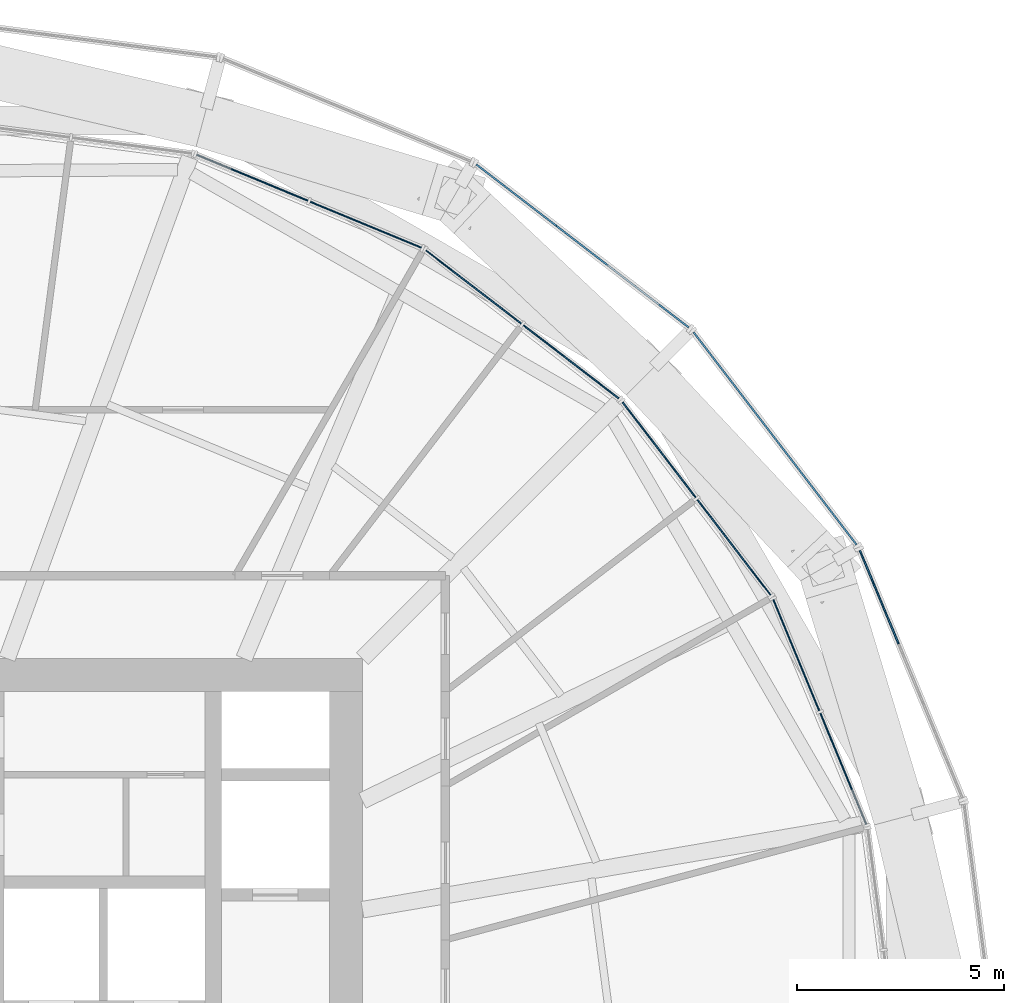
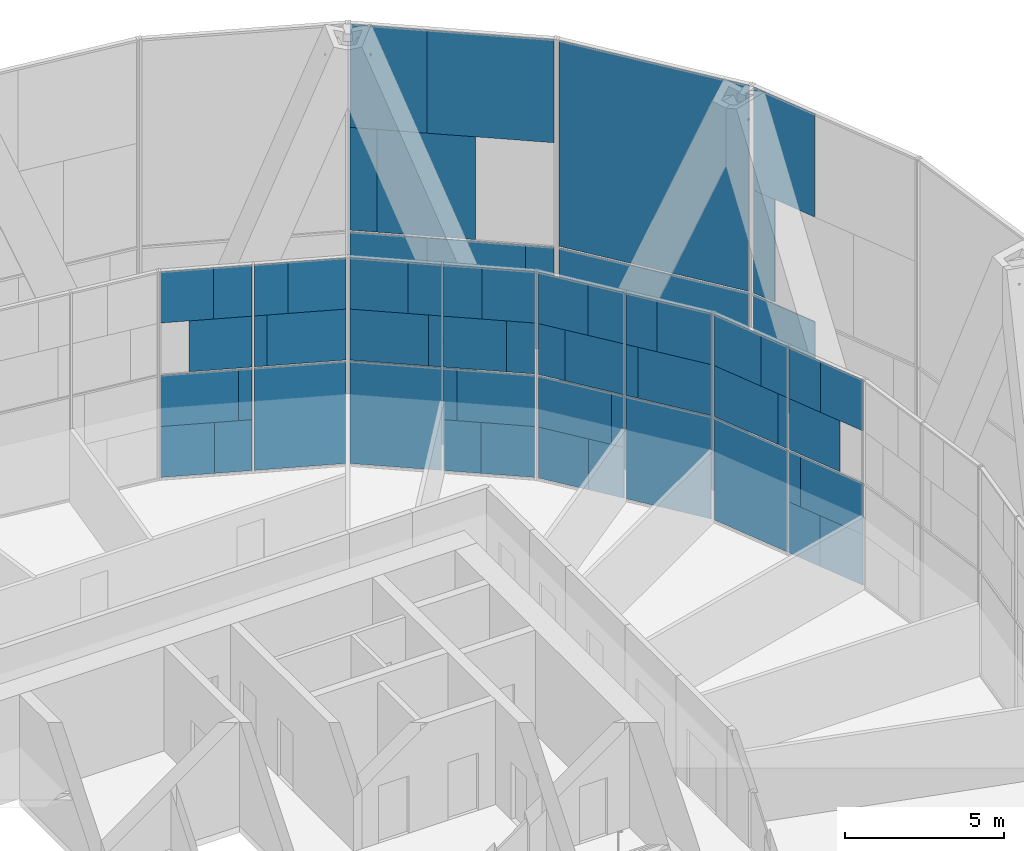
# One storey, part 18 of 22: 63 plates, 7 elements without a shape of their own.
"""IFC4 building model written with IfcOpenShell, lengths in metres."""

from ifc_helpers import new_model, si_unit, direction, frame, origin, origin_2d, place, context, subcontext, project, spatial, rectangle, extrude, material, layer, layer_set, type_object, element, aggregate, save


model = new_model("IFC4")

# Units and contexts
model_context = context("Model", 3, precision=1e-05, world=origin(), true_north=direction((0.0, 1.0)))
body_context = subcontext(model_context, "Body", "Model", "MODEL_VIEW")
ifc_project = project(units=[si_unit("LENGTHUNIT", "METRE"), si_unit("AREAUNIT", "SQUARE_METRE"), si_unit("VOLUMEUNIT", "CUBIC_METRE"), si_unit("PLANEANGLEUNIT", "RADIAN"), si_unit("MASSUNIT", "GRAM", prefix="KILO")], contexts=[model_context])

# Site, building, storey
site_placement = place(None, origin())
site = spatial("IfcSite", under=ifc_project, at=site_placement, CompositionType="ELEMENT")
building_placement = place(site_placement, origin())
building = spatial("IfcBuilding", under=site, at=building_placement, Name="Golbaran Civic Tower", CompositionType="ELEMENT")
storey_placement = place(building_placement, frame((0.0, 0.0, 37.0)))
storey = spatial("IfcBuildingStorey", under=building, at=storey_placement, Name="L08", CompositionType="ELEMENT", Elevation=37.0)

# Curtain wall, plates
ifc_material_1 = material(Name="Aluminium and glass", Category="aluminium")
curtain_wall_type_1 = type_object("IfcCurtainWallType", Name="INNER SKIN CURTAIN WALL", PredefinedType="NOTDEFINED", material=ifc_material_1)
curtain_wall_1_placement = place(storey_placement, origin())
curtain_wall_1 = element("IfcCurtainWall", 1, at=curtain_wall_1_placement, inside=storey, type_object=curtain_wall_type_1, Name="Inner skin L08 facet 2 CW1", ObjectType="INNER SKIN", PredefinedType="USERDEFINED")
ifc_material_2 = material(Name="Clear insulating glass", Category="glass")
ifc_layer_1 = layer(ifc_material_2, 0.031982421875, Name="Clear insulating glass")
ifc_layer_set_1 = layer_set([ifc_layer_1], Name="Clear insulating glass")
plate_type_1 = type_object("IfcPlateType", Name="INNER SKIN CURTAIN WALL GLAZED PANEL", PredefinedType="CURTAIN_PANEL", material=ifc_layer_set_1)
plate_1_placement = place(storey_placement, frame((21.273681640625, 8.12744140625, 0.06494140625), z_axis=(0.0, 0.0, 1.0), x_axis=(-0.382683432365, 0.923879532511, 0.0)))
plate_1 = element("IfcPlate", 2, at=plate_1_placement, type_object=plate_type_1, Name="CW1 panel 1.1 part 2", PredefinedType="CURTAIN_PANEL", context=body_context, shape_type="SweptSolid", body=[
    extrude(rectangle(XDim=1.199462890625, YDim=0.031982421875, at=origin_2d()), origin(), (0.0, 0.0, 1.0), 1.951171875),
])
plate_2_placement = place(storey_placement, frame((21.126953125, 8.481689453125, 2.016357421875), z_axis=(0.0, 0.0, 1.0), x_axis=(-0.382683432365, 0.923879532511, 0.0)))
plate_2 = element("IfcPlate", 3, at=plate_2_placement, type_object=plate_type_1, Name="CW1 panel 1.1 part 4", PredefinedType="CURTAIN_PANEL", context=body_context, shape_type="SweptSolid", body=[
    extrude(rectangle(XDim=0.4326171875, YDim=0.031982421875, at=origin_2d()), origin(), (0.0, 0.0, 1.0), 1.951171875),
])
plate_3_placement = place(storey_placement, frame((21.833251953125, 6.776611328125, 5.98388671875), z_axis=(0.0, 0.0, 1.0), x_axis=(-0.382683432365, 0.923879532511, 0.0)))
plate_3 = element("IfcPlate", 4, at=plate_3_placement, type_object=plate_type_1, Name="CW1 panel 1.2 part 3", PredefinedType="CURTAIN_PANEL", context=body_context, shape_type="SweptSolid", body=[
    extrude(rectangle(XDim=1.675048828125, YDim=0.031982421875, at=origin_2d()), origin(), (0.0, 0.0, 1.0), 1.951171875),
])
plate_4_placement = place(storey_placement, frame((20.464599609375, 10.0810546875, 0.06494140625), z_axis=(0.0, 0.0, 1.0), x_axis=(-0.382683432365, 0.923879532511, 0.0)))
plate_4 = element("IfcPlate", 5, at=plate_4_placement, type_object=plate_type_1, Name="CW1 panel 2.1", PredefinedType="CURTAIN_PANEL", context=body_context, shape_type="SweptSolid", body=[
    extrude(rectangle(XDim=2.8994140625, YDim=0.031982421875, at=origin_2d()), origin(), (0.0, 0.0, 1.0), 3.902587890625),
])
plate_5_placement = place(storey_placement, frame((20.3876953125, 10.266357421875, 4.032470703125), z_axis=(0.0, 0.0, 1.0), x_axis=(-0.382683432365, 0.923879532511, 0.0)))
plate_5 = element("IfcPlate", 6, at=plate_5_placement, type_object=plate_type_1, Name="CW1 panel 2.2 part 2", PredefinedType="CURTAIN_PANEL", context=body_context, shape_type="SweptSolid", body=[
    extrude(rectangle(XDim=2.49853515625, YDim=0.031982421875, at=origin_2d()), origin(), (0.0, 0.0, 1.0), 1.951171875),
])
plate_6_placement = place(storey_placement, frame((20.260986328125, 10.572021484375, 5.98388671875), z_axis=(0.0, 0.0, 1.0), x_axis=(-0.382683432365, 0.923879532511, 0.0)))
plate_6 = element("IfcPlate", 7, at=plate_6_placement, type_object=plate_type_1, Name="CW1 panel 2.2 part 4", PredefinedType="CURTAIN_PANEL", context=body_context, shape_type="SweptSolid", body=[
    extrude(rectangle(XDim=1.83642578125, YDim=0.031982421875, at=origin_2d()), origin(), (0.0, 0.0, 1.0), 1.951171875),
])

curtain_wall_2_placement = place(storey_placement, origin())
curtain_wall_2 = element("IfcCurtainWall", 8, at=curtain_wall_2_placement, inside=storey, type_object=curtain_wall_type_1, Name="Inner skin L08 facet 3 CW1", ObjectType="INNER SKIN", PredefinedType="USERDEFINED")
plate_7_placement = place(storey_placement, frame((18.962646484375, 12.68212890625, 0.06494140625), z_axis=(0.0, 0.0, 1.0), x_axis=(-0.608761428939, 0.793353340344, 0.0)))
plate_7 = element("IfcPlate", 9, at=plate_7_placement, type_object=plate_type_1, Name="CW1 panel 1.1", PredefinedType="CURTAIN_PANEL", context=body_context, shape_type="SweptSolid", body=[
    extrude(rectangle(XDim=2.8994140625, YDim=0.031982421875, at=origin_2d()), origin(), (0.0, 0.0, 1.0), 3.902587890625),
])
plate_8_placement = place(storey_placement, frame((19.0849609375, 12.52294921875, 4.032470703125), z_axis=(0.0, 0.0, 1.0), x_axis=(-0.608761428939, 0.793353340344, 0.0)))
plate_8 = element("IfcPlate", 10, at=plate_8_placement, type_object=plate_type_1, Name="CW1 panel 1.2 part 1", PredefinedType="CURTAIN_PANEL", context=body_context, shape_type="SweptSolid", body=[
    extrude(rectangle(XDim=2.498046875, YDim=0.031982421875, at=origin_2d()), origin(), (0.0, 0.0, 1.0), 1.951171875),
])
plate_9_placement = place(storey_placement, frame((19.2861328125, 12.2607421875, 5.98388671875), z_axis=(0.0, 0.0, 1.0), x_axis=(-0.608761428939, 0.793353340344, 0.0)))
plate_9 = element("IfcPlate", 11, at=plate_9_placement, type_object=plate_type_1, Name="CW1 panel 1.2 part 3", PredefinedType="CURTAIN_PANEL", context=body_context, shape_type="SweptSolid", body=[
    extrude(rectangle(XDim=1.8369140625, YDim=0.031982421875, at=origin_2d()), origin(), (0.0, 0.0, 1.0), 1.951171875),
])
plate_10_placement = place(storey_placement, frame((17.67529296875, 14.360107421875, 0.06494140625), z_axis=(0.0, 0.0, 1.0), x_axis=(-0.608761428939, 0.793353340344, 0.0)))
plate_10 = element("IfcPlate", 12, at=plate_10_placement, type_object=plate_type_1, Name="CW1 panel 2.1 part 1", PredefinedType="CURTAIN_PANEL", context=body_context, shape_type="SweptSolid", body=[
    extrude(rectangle(XDim=1.199951171875, YDim=0.031982421875, at=origin_2d()), origin(), (0.0, 0.0, 1.0), 1.951171875),
])
plate_11_placement = place(storey_placement, frame((17.9091796875, 14.055419921875, 2.016357421875), z_axis=(0.0, 0.0, 1.0), x_axis=(-0.608761428939, 0.793353340344, 0.0)))
plate_11 = element("IfcPlate", 13, at=plate_11_placement, type_object=plate_type_1, Name="CW1 panel 2.1 part 3", PredefinedType="CURTAIN_PANEL", context=body_context, shape_type="SweptSolid", body=[
    extrude(rectangle(XDim=0.431884765625, YDim=0.031982421875, at=origin_2d()), origin(), (0.0, 0.0, 1.0), 1.951171875),
])
plate_12_placement = place(storey_placement, frame((16.54931640625, 15.827392578125, 4.032470703125), z_axis=(0.0, 0.0, 1.0), x_axis=(-0.608761428939, 0.793353340344, 0.0)))
plate_12 = element("IfcPlate", 14, at=plate_12_placement, type_object=plate_type_1, Name="CW1 panel 2.2 part 2", PredefinedType="CURTAIN_PANEL", context=body_context, shape_type="SweptSolid", body=[
    extrude(rectangle(XDim=0.8994140625, YDim=0.031982421875, at=origin_2d()), origin(), (0.0, 0.0, 1.0), 1.951171875),
])
plate_13_placement = place(storey_placement, frame((16.78515625, 15.52001953125, 5.98388671875), z_axis=(0.0, 0.0, 1.0), x_axis=(-0.608761428939, 0.793353340344, 0.0)))
plate_13 = element("IfcPlate", 15, at=plate_13_placement, type_object=plate_type_1, Name="CW1 panel 2.2 part 4", PredefinedType="CURTAIN_PANEL", context=body_context, shape_type="SweptSolid", body=[
    extrude(rectangle(XDim=1.674560546875, YDim=0.031982421875, at=origin_2d()), origin(), (0.0, 0.0, 1.0), 1.951171875),
])

curtain_wall_3_placement = place(storey_placement, origin())
curtain_wall_3 = element("IfcCurtainWall", 16, at=curtain_wall_3_placement, inside=storey, type_object=curtain_wall_type_1, Name="Inner skin L08 facet 4 CW1", ObjectType="INNER SKIN", PredefinedType="USERDEFINED")
plate_14_placement = place(storey_placement, frame((14.35986328125, 17.675537109375, 0.06494140625), z_axis=(0.0, 0.0, 1.0), x_axis=(-0.793353340344, 0.608761428939, 0.0)))
plate_14 = element("IfcPlate", 17, at=plate_14_placement, type_object=plate_type_1, Name="CW1 panel 1.1 part 2", PredefinedType="CURTAIN_PANEL", context=body_context, shape_type="SweptSolid", body=[
    extrude(rectangle(XDim=1.199462890625, YDim=0.031982421875, at=origin_2d()), origin(), (0.0, 0.0, 1.0), 1.951171875),
])
plate_15_placement = place(storey_placement, frame((14.055419921875, 17.908935546875, 2.016357421875), z_axis=(0.0, 0.0, 1.0), x_axis=(-0.793353340344, 0.608761428939, 0.0)))
plate_15 = element("IfcPlate", 18, at=plate_15_placement, type_object=plate_type_1, Name="CW1 panel 1.1 part 4", PredefinedType="CURTAIN_PANEL", context=body_context, shape_type="SweptSolid", body=[
    extrude(rectangle(XDim=0.4326171875, YDim=0.031982421875, at=origin_2d()), origin(), (0.0, 0.0, 1.0), 1.951171875),
])
plate_16_placement = place(storey_placement, frame((15.827392578125, 16.54931640625, 4.032470703125), z_axis=(0.0, 0.0, 1.0), x_axis=(-0.793353340344, 0.608761428939, 0.0)))
plate_16 = element("IfcPlate", 19, at=plate_16_placement, type_object=plate_type_1, Name="CW1 panel 1.2 part 1", PredefinedType="CURTAIN_PANEL", context=body_context, shape_type="SweptSolid", body=[
    extrude(rectangle(XDim=0.89990234375, YDim=0.031982421875, at=origin_2d()), origin(), (0.0, 0.0, 1.0), 1.951171875),
])
plate_17_placement = place(storey_placement, frame((15.519775390625, 16.785400390625, 5.98388671875), z_axis=(0.0, 0.0, 1.0), x_axis=(-0.793353340344, 0.608761428939, 0.0)))
plate_17 = element("IfcPlate", 20, at=plate_17_placement, type_object=plate_type_1, Name="CW1 panel 1.2 part 3", PredefinedType="CURTAIN_PANEL", context=body_context, shape_type="SweptSolid", body=[
    extrude(rectangle(XDim=1.675048828125, YDim=0.031982421875, at=origin_2d()), origin(), (0.0, 0.0, 1.0), 1.951171875),
])
plate_18_placement = place(storey_placement, frame((12.68212890625, 18.962646484375, 0.06494140625), z_axis=(0.0, 0.0, 1.0), x_axis=(-0.793353340344, 0.608761428939, 0.0)))
plate_18 = element("IfcPlate", 21, at=plate_18_placement, type_object=plate_type_1, Name="CW1 panel 2.1", PredefinedType="CURTAIN_PANEL", context=body_context, shape_type="SweptSolid", body=[
    extrude(rectangle(XDim=2.8994140625, YDim=0.031982421875, at=origin_2d()), origin(), (0.0, 0.0, 1.0), 3.902587890625),
])
plate_19_placement = place(storey_placement, frame((12.523193359375, 19.084716796875, 4.032470703125), z_axis=(0.0, 0.0, 1.0), x_axis=(-0.793353340344, 0.608761428939, 0.0)))
plate_19 = element("IfcPlate", 22, at=plate_19_placement, type_object=plate_type_1, Name="CW1 panel 2.2 part 2", PredefinedType="CURTAIN_PANEL", context=body_context, shape_type="SweptSolid", body=[
    extrude(rectangle(XDim=2.49853515625, YDim=0.031982421875, at=origin_2d()), origin(), (0.0, 0.0, 1.0), 1.951171875),
])
plate_20_placement = place(storey_placement, frame((12.260498046875, 19.2861328125, 5.98388671875), z_axis=(0.0, 0.0, 1.0), x_axis=(-0.793353340344, 0.608761428939, 0.0)))
plate_20 = element("IfcPlate", 23, at=plate_20_placement, type_object=plate_type_1, Name="CW1 panel 2.2 part 4", PredefinedType="CURTAIN_PANEL", context=body_context, shape_type="SweptSolid", body=[
    extrude(rectangle(XDim=1.83642578125, YDim=0.031982421875, at=origin_2d()), origin(), (0.0, 0.0, 1.0), 1.951171875),
])

curtain_wall_4_placement = place(storey_placement, origin())
curtain_wall_4 = element("IfcCurtainWall", 24, at=curtain_wall_4_placement, inside=storey, type_object=curtain_wall_type_1, Name="Inner skin L08 facet 5 CW1", ObjectType="INNER SKIN", PredefinedType="USERDEFINED")
plate_21_placement = place(storey_placement, frame((10.0810546875, 20.464599609375, 0.06494140625), z_axis=(0.0, 0.0, 1.0), x_axis=(-0.923879532511, 0.382683432365, 0.0)))
plate_21 = element("IfcPlate", 25, at=plate_21_placement, type_object=plate_type_1, Name="CW1 panel 1.1", PredefinedType="CURTAIN_PANEL", context=body_context, shape_type="SweptSolid", body=[
    extrude(rectangle(XDim=2.8994140625, YDim=0.031982421875, at=origin_2d()), origin(), (0.0, 0.0, 1.0), 3.902587890625),
])
plate_22_placement = place(storey_placement, frame((10.2666015625, 20.3876953125, 4.032470703125), z_axis=(0.0, 0.0, 1.0), x_axis=(-0.923879532511, 0.382683432365, 0.0)))
plate_22 = element("IfcPlate", 26, at=plate_22_placement, type_object=plate_type_1, Name="CW1 panel 1.2 part 1", PredefinedType="CURTAIN_PANEL", context=body_context, shape_type="SweptSolid", body=[
    extrude(rectangle(XDim=2.498046875, YDim=0.031982421875, at=origin_2d()), origin(), (0.0, 0.0, 1.0), 1.951171875),
])
plate_23_placement = place(storey_placement, frame((10.57177734375, 20.26123046875, 5.98388671875), z_axis=(0.0, 0.0, 1.0), x_axis=(-0.923879532511, 0.382683432365, 0.0)))
plate_23 = element("IfcPlate", 27, at=plate_23_placement, type_object=plate_type_1, Name="CW1 panel 1.2 part 3", PredefinedType="CURTAIN_PANEL", context=body_context, shape_type="SweptSolid", body=[
    extrude(rectangle(XDim=1.8369140625, YDim=0.031982421875, at=origin_2d()), origin(), (0.0, 0.0, 1.0), 1.951171875),
])
plate_24_placement = place(storey_placement, frame((8.127197265625, 21.273681640625, 0.06494140625), z_axis=(0.0, 0.0, 1.0), x_axis=(-0.923879532511, 0.382683432365, 0.0)))
plate_24 = element("IfcPlate", 28, at=plate_24_placement, type_object=plate_type_1, Name="CW1 panel 2.1 part 1", PredefinedType="CURTAIN_PANEL", context=body_context, shape_type="SweptSolid", body=[
    extrude(rectangle(XDim=1.199951171875, YDim=0.031982421875, at=origin_2d()), origin(), (0.0, 0.0, 1.0), 1.951171875),
])
plate_25_placement = place(storey_placement, frame((8.48193359375, 21.126708984375, 2.016357421875), z_axis=(0.0, 0.0, 1.0), x_axis=(-0.923879532511, 0.382683432365, 0.0)))
plate_25 = element("IfcPlate", 29, at=plate_25_placement, type_object=plate_type_1, Name="CW1 panel 2.1 part 3", PredefinedType="CURTAIN_PANEL", context=body_context, shape_type="SweptSolid", body=[
    extrude(rectangle(XDim=0.431884765625, YDim=0.031982421875, at=origin_2d()), origin(), (0.0, 0.0, 1.0), 1.951171875),
])
plate_26_placement = place(storey_placement, frame((6.7763671875, 21.833251953125, 5.98388671875), z_axis=(0.0, 0.0, 1.0), x_axis=(-0.923879532511, 0.382683432365, 0.0)))
plate_26 = element("IfcPlate", 30, at=plate_26_placement, type_object=plate_type_1, Name="CW1 panel 2.2 part 4", PredefinedType="CURTAIN_PANEL", context=body_context, shape_type="SweptSolid", body=[
    extrude(rectangle(XDim=1.674560546875, YDim=0.031982421875, at=origin_2d()), origin(), (0.0, 0.0, 1.0), 1.951171875),
])

# Plate
ifc_material_3 = material(Name="Aluminium faced opaque infill panel", Category="aluminium")
ifc_layer_2 = layer(ifc_material_3, 0.031982421875, Name="Aluminium faced opaque infill panel")
ifc_layer_set_2 = layer_set([ifc_layer_2], Name="Aluminium faced opaque infill panel")
plate_type_2 = type_object("IfcPlateType", Name="INNER SKIN CURTAIN WALL OPAQUE INFILL PANEL", PredefinedType="CURTAIN_PANEL", material=ifc_layer_set_2)
plate_27_placement = place(storey_placement, frame((21.828369140625, 6.7880859375, 0.06494140625), z_axis=(0.0, 0.0, 1.0), x_axis=(-0.382683432365, 0.923879532511, 0.0)))
plate_27 = element("IfcPlate", 31, at=plate_27_placement, type_object=plate_type_2, Name="CW1 infill panel 1.1 part 1", PredefinedType="CURTAIN_PANEL", context=body_context, shape_type="SweptSolid", body=[
    extrude(rectangle(XDim=1.699951171875, YDim=0.031982421875, at=origin_2d()), origin(), (0.0, 0.0, 1.0), 1.951171875),
])

plate_28_placement = place(storey_placement, frame((21.681640625, 7.142333984375, 2.016357421875), z_axis=(0.0, 0.0, 1.0), x_axis=(-0.382683432365, 0.923879532511, 0.0)))
plate_28 = element("IfcPlate", 32, at=plate_28_placement, type_object=plate_type_2, Name="CW1 infill panel 1.1 part 3", PredefinedType="CURTAIN_PANEL", context=body_context, shape_type="SweptSolid", body=[
    extrude(rectangle(XDim=2.467041015625, YDim=0.031982421875, at=origin_2d()), origin(), (0.0, 0.0, 1.0), 1.951171875),
])

plate_29_placement = place(storey_placement, frame((21.4267578125, 7.758056640625, 4.032470703125), z_axis=(0.0, 0.0, 1.0), x_axis=(-0.382683432365, 0.923879532511, 0.0)))
plate_29 = element("IfcPlate", 33, at=plate_29_placement, type_object=plate_type_2, Name="CW1 infill panel 1.2 part 2", PredefinedType="CURTAIN_PANEL", context=body_context, shape_type="SweptSolid", body=[
    extrude(rectangle(XDim=1.99951171875, YDim=0.031982421875, at=origin_2d()), origin(), (0.0, 0.0, 1.0), 1.951171875),
])

plate_30_placement = place(storey_placement, frame((21.278564453125, 8.115966796875, 5.98388671875), z_axis=(0.0, 0.0, 1.0), x_axis=(-0.382683432365, 0.923879532511, 0.0)))
plate_30 = element("IfcPlate", 34, at=plate_30_placement, type_object=plate_type_2, Name="CW1 infill panel 1.2 part 4", PredefinedType="CURTAIN_PANEL", context=body_context, shape_type="SweptSolid", body=[
    extrude(rectangle(XDim=1.224609375, YDim=0.031982421875, at=origin_2d()), origin(), (0.0, 0.0, 1.0), 1.951171875),
])

plate_31_placement = place(storey_placement, frame((20.942626953125, 8.927001953125, 4.032470703125), z_axis=(0.0, 0.0, 1.0), x_axis=(-0.382683432365, 0.923879532511, 0.0)))
plate_31 = element("IfcPlate", 35, at=plate_31_placement, type_object=plate_type_2, Name="CW1 infill panel 2.2 part 1", PredefinedType="CURTAIN_PANEL", context=body_context, shape_type="SweptSolid", body=[
    extrude(rectangle(XDim=0.40087890625, YDim=0.031982421875, at=origin_2d()), origin(), (0.0, 0.0, 1.0), 1.951171875),
])

plate_32_placement = place(storey_placement, frame((20.81591796875, 9.232666015625, 5.98388671875), z_axis=(0.0, 0.0, 1.0), x_axis=(-0.382683432365, 0.923879532511, 0.0)))
plate_32 = element("IfcPlate", 36, at=plate_32_placement, type_object=plate_type_2, Name="CW1 infill panel 2.2 part 3", PredefinedType="CURTAIN_PANEL", context=body_context, shape_type="SweptSolid", body=[
    extrude(rectangle(XDim=1.06298828125, YDim=0.031982421875, at=origin_2d()), origin(), (0.0, 0.0, 1.0), 1.951171875),
])

aggregate(curtain_wall_1, [plate_27, plate_1, plate_28, plate_2, plate_29, plate_3, plate_30, plate_4, plate_31, plate_5, plate_32, plate_6])

plate_33_placement = place(storey_placement, frame((18.202392578125, 13.673095703125, 4.032470703125), z_axis=(0.0, 0.0, 1.0), x_axis=(-0.608761428939, 0.793353340344, 0.0)))
plate_33 = element("IfcPlate", 37, at=plate_33_placement, type_object=plate_type_2, Name="CW1 infill panel 1.2 part 2", PredefinedType="CURTAIN_PANEL", context=body_context, shape_type="SweptSolid", body=[
    extrude(rectangle(XDim=0.401611328125, YDim=0.031982421875, at=origin_2d()), origin(), (0.0, 0.0, 1.0), 1.951171875),
])

plate_34_placement = place(storey_placement, frame((18.403564453125, 13.410888671875, 5.98388671875), z_axis=(0.0, 0.0, 1.0), x_axis=(-0.608761428939, 0.793353340344, 0.0)))
plate_34 = element("IfcPlate", 38, at=plate_34_placement, type_object=plate_type_2, Name="CW1 infill panel 1.2 part 4", PredefinedType="CURTAIN_PANEL", context=body_context, shape_type="SweptSolid", body=[
    extrude(rectangle(XDim=1.0625, YDim=0.031982421875, at=origin_2d()), origin(), (0.0, 0.0, 1.0), 1.951171875),
])

plate_35_placement = place(storey_placement, frame((16.792724609375, 15.51025390625, 0.06494140625), z_axis=(0.0, 0.0, 1.0), x_axis=(-0.608761428939, 0.793353340344, 0.0)))
plate_35 = element("IfcPlate", 39, at=plate_35_placement, type_object=plate_type_2, Name="CW1 infill panel 2.1 part 2", PredefinedType="CURTAIN_PANEL", context=body_context, shape_type="SweptSolid", body=[
    extrude(rectangle(XDim=1.699462890625, YDim=0.031982421875, at=origin_2d()), origin(), (0.0, 0.0, 1.0), 1.951171875),
])

plate_36_placement = place(storey_placement, frame((17.026611328125, 15.20556640625, 2.016357421875), z_axis=(0.0, 0.0, 1.0), x_axis=(-0.608761428939, 0.793353340344, 0.0)))
plate_36 = element("IfcPlate", 40, at=plate_36_placement, type_object=plate_type_2, Name="CW1 infill panel 2.1 part 4", PredefinedType="CURTAIN_PANEL", context=body_context, shape_type="SweptSolid", body=[
    extrude(rectangle(XDim=2.467529296875, YDim=0.031982421875, at=origin_2d()), origin(), (0.0, 0.0, 1.0), 1.951171875),
])

plate_37_placement = place(storey_placement, frame((17.431884765625, 14.67724609375, 4.032470703125), z_axis=(0.0, 0.0, 1.0), x_axis=(-0.608761428939, 0.793353340344, 0.0)))
plate_37 = element("IfcPlate", 41, at=plate_37_placement, type_object=plate_type_2, Name="CW1 infill panel 2.2 part 1", PredefinedType="CURTAIN_PANEL", context=body_context, shape_type="SweptSolid", body=[
    extrude(rectangle(XDim=2.0, YDim=0.031982421875, at=origin_2d()), origin(), (0.0, 0.0, 1.0), 1.951171875),
])

plate_38_placement = place(storey_placement, frame((17.667724609375, 14.369873046875, 5.98388671875), z_axis=(0.0, 0.0, 1.0), x_axis=(-0.608761428939, 0.793353340344, 0.0)))
plate_38 = element("IfcPlate", 42, at=plate_38_placement, type_object=plate_type_2, Name="CW1 infill panel 2.2 part 3", PredefinedType="CURTAIN_PANEL", context=body_context, shape_type="SweptSolid", body=[
    extrude(rectangle(XDim=1.22509765625, YDim=0.031982421875, at=origin_2d()), origin(), (0.0, 0.0, 1.0), 1.951171875),
])

aggregate(curtain_wall_2, [plate_7, plate_8, plate_33, plate_9, plate_34, plate_10, plate_35, plate_11, plate_36, plate_37, plate_12, plate_38, plate_13])

plate_39_placement = place(storey_placement, frame((15.510009765625, 16.79296875, 0.06494140625), z_axis=(0.0, 0.0, 1.0), x_axis=(-0.793353340344, 0.608761428939, 0.0)))
plate_39 = element("IfcPlate", 43, at=plate_39_placement, type_object=plate_type_2, Name="CW1 infill panel 1.1 part 1", PredefinedType="CURTAIN_PANEL", context=body_context, shape_type="SweptSolid", body=[
    extrude(rectangle(XDim=1.699951171875, YDim=0.031982421875, at=origin_2d()), origin(), (0.0, 0.0, 1.0), 1.951171875),
])

plate_40_placement = place(storey_placement, frame((15.205810546875, 17.0263671875, 2.016357421875), z_axis=(0.0, 0.0, 1.0), x_axis=(-0.793353340344, 0.608761428939, 0.0)))
plate_40 = element("IfcPlate", 44, at=plate_40_placement, type_object=plate_type_2, Name="CW1 infill panel 1.1 part 3", PredefinedType="CURTAIN_PANEL", context=body_context, shape_type="SweptSolid", body=[
    extrude(rectangle(XDim=2.467041015625, YDim=0.031982421875, at=origin_2d()), origin(), (0.0, 0.0, 1.0), 1.951171875),
])

plate_41_placement = place(storey_placement, frame((14.67724609375, 17.431884765625, 4.032470703125), z_axis=(0.0, 0.0, 1.0), x_axis=(-0.793353340344, 0.608761428939, 0.0)))
plate_41 = element("IfcPlate", 45, at=plate_41_placement, type_object=plate_type_2, Name="CW1 infill panel 1.2 part 2", PredefinedType="CURTAIN_PANEL", context=body_context, shape_type="SweptSolid", body=[
    extrude(rectangle(XDim=1.99951171875, YDim=0.031982421875, at=origin_2d()), origin(), (0.0, 0.0, 1.0), 1.951171875),
])

plate_42_placement = place(storey_placement, frame((14.36962890625, 17.667724609375, 5.98388671875), z_axis=(0.0, 0.0, 1.0), x_axis=(-0.793353340344, 0.608761428939, 0.0)))
plate_42 = element("IfcPlate", 46, at=plate_42_placement, type_object=plate_type_2, Name="CW1 infill panel 1.2 part 4", PredefinedType="CURTAIN_PANEL", context=body_context, shape_type="SweptSolid", body=[
    extrude(rectangle(XDim=1.224609375, YDim=0.031982421875, at=origin_2d()), origin(), (0.0, 0.0, 1.0), 1.951171875),
])

plate_43_placement = place(storey_placement, frame((13.67333984375, 18.2021484375, 4.032470703125), z_axis=(0.0, 0.0, 1.0), x_axis=(-0.793353340344, 0.608761428939, 0.0)))
plate_43 = element("IfcPlate", 47, at=plate_43_placement, type_object=plate_type_2, Name="CW1 infill panel 2.2 part 1", PredefinedType="CURTAIN_PANEL", context=body_context, shape_type="SweptSolid", body=[
    extrude(rectangle(XDim=0.40087890625, YDim=0.031982421875, at=origin_2d()), origin(), (0.0, 0.0, 1.0), 1.951171875),
])

plate_44_placement = place(storey_placement, frame((13.41064453125, 18.403564453125, 5.98388671875), z_axis=(0.0, 0.0, 1.0), x_axis=(-0.793353340344, 0.608761428939, 0.0)))
plate_44 = element("IfcPlate", 48, at=plate_44_placement, type_object=plate_type_2, Name="CW1 infill panel 2.2 part 3", PredefinedType="CURTAIN_PANEL", context=body_context, shape_type="SweptSolid", body=[
    extrude(rectangle(XDim=1.06298828125, YDim=0.031982421875, at=origin_2d()), origin(), (0.0, 0.0, 1.0), 1.951171875),
])

aggregate(curtain_wall_3, [plate_39, plate_14, plate_40, plate_15, plate_16, plate_41, plate_17, plate_42, plate_18, plate_43, plate_19, plate_44, plate_20])

plate_45_placement = place(storey_placement, frame((8.927001953125, 20.9423828125, 4.032470703125), z_axis=(0.0, 0.0, 1.0), x_axis=(-0.923879532511, 0.382683432365, 0.0)))
plate_45 = element("IfcPlate", 49, at=plate_45_placement, type_object=plate_type_2, Name="CW1 infill panel 1.2 part 2", PredefinedType="CURTAIN_PANEL", context=body_context, shape_type="SweptSolid", body=[
    extrude(rectangle(XDim=0.401611328125, YDim=0.031982421875, at=origin_2d()), origin(), (0.0, 0.0, 1.0), 1.951171875),
])

plate_46_placement = place(storey_placement, frame((9.232421875, 20.81591796875, 5.98388671875), z_axis=(0.0, 0.0, 1.0), x_axis=(-0.923879532511, 0.382683432365, 0.0)))
plate_46 = element("IfcPlate", 50, at=plate_46_placement, type_object=plate_type_2, Name="CW1 infill panel 1.2 part 4", PredefinedType="CURTAIN_PANEL", context=body_context, shape_type="SweptSolid", body=[
    extrude(rectangle(XDim=1.0625, YDim=0.031982421875, at=origin_2d()), origin(), (0.0, 0.0, 1.0), 1.951171875),
])

plate_47_placement = place(storey_placement, frame((6.787841796875, 21.82861328125, 0.06494140625), z_axis=(0.0, 0.0, 1.0), x_axis=(-0.923879532511, 0.382683432365, 0.0)))
plate_47 = element("IfcPlate", 51, at=plate_47_placement, type_object=plate_type_2, Name="CW1 infill panel 2.1 part 2", PredefinedType="CURTAIN_PANEL", context=body_context, shape_type="SweptSolid", body=[
    extrude(rectangle(XDim=1.699462890625, YDim=0.031982421875, at=origin_2d()), origin(), (0.0, 0.0, 1.0), 1.951171875),
])

plate_48_placement = place(storey_placement, frame((7.142578125, 21.681640625, 2.016357421875), z_axis=(0.0, 0.0, 1.0), x_axis=(-0.923879532511, 0.382683432365, 0.0)))
plate_48 = element("IfcPlate", 52, at=plate_48_placement, type_object=plate_type_2, Name="CW1 infill panel 2.1 part 4", PredefinedType="CURTAIN_PANEL", context=body_context, shape_type="SweptSolid", body=[
    extrude(rectangle(XDim=2.467529296875, YDim=0.031982421875, at=origin_2d()), origin(), (0.0, 0.0, 1.0), 1.951171875),
])

plate_49_placement = place(storey_placement, frame((7.7578125, 21.4267578125, 4.032470703125), z_axis=(0.0, 0.0, 1.0), x_axis=(-0.923879532511, 0.382683432365, 0.0)))
plate_49 = element("IfcPlate", 53, at=plate_49_placement, type_object=plate_type_2, Name="CW1 infill panel 2.2 part 1", PredefinedType="CURTAIN_PANEL", context=body_context, shape_type="SweptSolid", body=[
    extrude(rectangle(XDim=2.0, YDim=0.031982421875, at=origin_2d()), origin(), (0.0, 0.0, 1.0), 1.951171875),
])

plate_50_placement = place(storey_placement, frame((8.11572265625, 21.278564453125, 5.98388671875), z_axis=(0.0, 0.0, 1.0), x_axis=(-0.923879532511, 0.382683432365, 0.0)))
plate_50 = element("IfcPlate", 54, at=plate_50_placement, type_object=plate_type_2, Name="CW1 infill panel 2.2 part 3", PredefinedType="CURTAIN_PANEL", context=body_context, shape_type="SweptSolid", body=[
    extrude(rectangle(XDim=1.22509765625, YDim=0.031982421875, at=origin_2d()), origin(), (0.0, 0.0, 1.0), 1.951171875),
])

aggregate(curtain_wall_4, [plate_21, plate_22, plate_45, plate_23, plate_46, plate_24, plate_47, plate_25, plate_48, plate_49, plate_50, plate_26])

# Curtain wall, plates
curtain_wall_type_2 = type_object("IfcCurtainWallType", Name="OUTER SKIN TERRACOTTA SCREEN", PredefinedType="NOTDEFINED", material=ifc_material_1)
curtain_wall_5_placement = place(storey_placement, origin())
curtain_wall_5 = element("IfcCurtainWall", 55, at=curtain_wall_5_placement, inside=storey, type_object=curtain_wall_type_2, Name="Outer skin L08 facet 2 CW3", ObjectType="OUTER SKIN", PredefinedType="USERDEFINED")
ifc_material_4 = material(Name="Clear laminated glass", Category="glass")
ifc_layer_3 = layer(ifc_material_4, 0.0400390625, Name="Clear laminated glass")
ifc_layer_set_3 = layer_set([ifc_layer_3], Name="Clear laminated glass")
plate_type_3 = type_object("IfcPlateType", Name="OUTER SKIN CLEAR GLASS PANEL", PredefinedType="CURTAIN_PANEL", material=ifc_layer_set_3)
plate_51_placement = place(storey_placement, frame((22.46484375, 11.482421875, 3.31005859375), z_axis=(0.0, 0.0, 1.0), x_axis=(-0.382683432462, 0.923879532471, 0.0)))
plate_51 = element("IfcPlate", 56, at=plate_51_placement, type_object=plate_type_3, Name="CW3 panel 1.1 part 5", PredefinedType="CURTAIN_PANEL", context=body_context, shape_type="SweptSolid", body=[
    extrude(rectangle(XDim=2.43896484375, YDim=0.0400390625, at=origin_2d()), origin(), (0.0, 0.0, 1.0), 3.93994140625),
])
plate_52_placement = place(storey_placement, frame((22.1591796875, 12.22021484375, 7.330078125), z_axis=(0.0, 0.0, 1.0), x_axis=(-0.382683432462, 0.923879532471, 0.0)))
plate_52 = element("IfcPlate", 57, at=plate_52_placement, type_object=plate_type_3, Name="CW3 panel 1.2 part 3", PredefinedType="CURTAIN_PANEL", context=body_context, shape_type="SweptSolid", body=[
    extrude(rectangle(XDim=0.841796875, YDim=0.0400390625, at=origin_2d()), origin(), (0.0, 0.0, 1.0), 3.93994140625),
])

curtain_wall_6_placement = place(storey_placement, origin())
curtain_wall_6 = element("IfcCurtainWall", 58, at=curtain_wall_6_placement, inside=storey, type_object=curtain_wall_type_2, Name="Outer skin L08 facet 4 CW3", ObjectType="OUTER SKIN", PredefinedType="USERDEFINED")
plate_53_placement = place(storey_placement, frame((14.334228515625, 20.700439453125, -0.6298828125), z_axis=(0.0, 0.0, 1.0), x_axis=(-0.793353340376, 0.608761428898, 0.0)))
plate_53 = element("IfcPlate", 59, at=plate_53_placement, type_object=plate_type_3, Name="CW3 panel 1.1 part 2", PredefinedType="CURTAIN_PANEL", context=body_context, shape_type="SweptSolid", body=[
    extrude(rectangle(XDim=4.0029296875, YDim=0.0400390625, at=origin_2d()), origin(), (0.0, 0.0, 1.0), 3.93994140625),
])
plate_54_placement = place(storey_placement, frame((17.51318359375, 18.26123046875, 3.31005859375), z_axis=(0.0, 0.0, 1.0), x_axis=(-0.793353340376, 0.608761428898, 0.0)))
plate_54 = element("IfcPlate", 60, at=plate_54_placement, type_object=plate_type_3, Name="CW3 panel 1.1 part 3", PredefinedType="CURTAIN_PANEL", context=body_context, shape_type="SweptSolid", body=[
    extrude(rectangle(XDim=0.906982421875, YDim=0.0400390625, at=origin_2d()), origin(), (0.0, 0.0, 1.0), 3.93994140625),
])
plate_55_placement = place(storey_placement, frame((13.7138671875, 21.176513671875, 3.31005859375), z_axis=(0.0, 0.0, 1.0), x_axis=(-0.793353340376, 0.608761428898, 0.0)))
plate_55 = element("IfcPlate", 61, at=plate_55_placement, type_object=plate_type_3, Name="CW3 panel 1.1 part 5", PredefinedType="CURTAIN_PANEL", context=body_context, shape_type="SweptSolid", body=[
    extrude(rectangle(XDim=2.43896484375, YDim=0.0400390625, at=origin_2d()), origin(), (0.0, 0.0, 1.0), 3.93994140625),
])
plate_56_placement = place(storey_placement, frame((13.080322265625, 21.66259765625, 7.330078125), z_axis=(0.0, 0.0, 1.0), x_axis=(-0.793353340376, 0.608761428898, 0.0)))
plate_56 = element("IfcPlate", 62, at=plate_56_placement, type_object=plate_type_3, Name="CW3 panel 1.2 part 3", PredefinedType="CURTAIN_PANEL", context=body_context, shape_type="SweptSolid", body=[
    extrude(rectangle(XDim=0.841796875, YDim=0.0400390625, at=origin_2d()), origin(), (0.0, 0.0, 1.0), 3.93994140625),
])
plate_57_placement = place(storey_placement, frame((16.271728515625, 19.2138671875, 11.27001953125), z_axis=(0.0, 0.0, 1.0), x_axis=(-0.793353340376, 0.608761428898, 0.0)))
plate_57 = element("IfcPlate", 63, at=plate_57_placement, type_object=plate_type_3, Name="CW3 panel 1.2 part 4", PredefinedType="CURTAIN_PANEL", context=body_context, shape_type="SweptSolid", body=[
    extrude(rectangle(XDim=4.037109375, YDim=0.0400390625, at=origin_2d()), origin(), (0.0, 0.0, 1.0), 3.93994140625),
])

# Plate
ifc_material_5 = material(Name="Terracotta baguette screen", Category="masonry")
ifc_layer_4 = layer(ifc_material_5, 0.0400390625, Name="Terracotta baguette screen")
ifc_layer_set_4 = layer_set([ifc_layer_4], Name="Terracotta baguette screen")
plate_type_4 = type_object("IfcPlateType", Name="OUTER SKIN TERRACOTTA INFILL PANEL", PredefinedType="CURTAIN_PANEL", material=ifc_layer_set_4)
plate_58_placement = place(storey_placement, frame((22.462158203125, 11.489013671875, 11.27001953125), z_axis=(0.0, 0.0, 1.0), x_axis=(-0.382683432462, 0.923879532471, 0.0)))
plate_58 = element("IfcPlate", 64, at=plate_58_placement, type_object=plate_type_4, Name="CW3 infill panel 1.2 part 5", PredefinedType="CURTAIN_PANEL", context=body_context, shape_type="SweptSolid", body=[
    extrude(rectangle(XDim=2.4248046875, YDim=0.0400390625, at=origin_2d()), origin(), (0.0, 0.0, 1.0), 3.93994140625),
])

aggregate(curtain_wall_5, [plate_51, plate_52, plate_58])

plate_59_placement = place(storey_placement, frame((15.91748046875, 19.48583984375, 3.31005859375), z_axis=(0.0, 0.0, 1.0), x_axis=(-0.793353340376, 0.608761428898, 0.0)))
plate_59 = element("IfcPlate", 65, at=plate_59_placement, type_object=plate_type_4, Name="CW3 infill panel 1.1 part 4", PredefinedType="CURTAIN_PANEL", context=body_context, shape_type="SweptSolid", body=[
    extrude(rectangle(XDim=3.115966796875, YDim=0.0400390625, at=origin_2d()), origin(), (0.0, 0.0, 1.0), 3.93994140625),
])

plate_60_placement = place(storey_placement, frame((14.65673828125, 20.453125, 7.330078125), z_axis=(0.0, 0.0, 1.0), x_axis=(-0.793353340376, 0.608761428898, 0.0)))
plate_60 = element("IfcPlate", 66, at=plate_60_placement, type_object=plate_type_4, Name="CW3 infill panel 1.2 part 2", PredefinedType="CURTAIN_PANEL", context=body_context, shape_type="SweptSolid", body=[
    extrude(rectangle(XDim=3.132080078125, YDim=0.0400390625, at=origin_2d()), origin(), (0.0, 0.0, 1.0), 3.93994140625),
])

plate_61_placement = place(storey_placement, frame((13.708251953125, 21.180908203125, 11.27001953125), z_axis=(0.0, 0.0, 1.0), x_axis=(-0.793353340376, 0.608761428898, 0.0)))
plate_61 = element("IfcPlate", 67, at=plate_61_placement, type_object=plate_type_4, Name="CW3 infill panel 1.2 part 5", PredefinedType="CURTAIN_PANEL", context=body_context, shape_type="SweptSolid", body=[
    extrude(rectangle(XDim=2.4248046875, YDim=0.0400390625, at=origin_2d()), origin(), (0.0, 0.0, 1.0), 3.93994140625),
])

aggregate(curtain_wall_6, [plate_53, plate_54, plate_59, plate_55, plate_60, plate_56, plate_57, plate_61])

# Curtain wall, plates
curtain_wall_7_placement = place(storey_placement, origin())
curtain_wall_7 = element("IfcCurtainWall", 68, at=curtain_wall_7_placement, inside=storey, type_object=curtain_wall_type_2, Name="Outer skin L08 facet 3 CW3", ObjectType="OUTER SKIN", PredefinedType="USERDEFINED")
ifc_layer_5 = layer(ifc_material_5, 0.0400390625, Name="Terracotta baguette screen")
ifc_layer_set_5 = layer_set([ifc_layer_5], Name="Terracotta baguette screen")
plate_type_5 = type_object("IfcPlateType", Name="OUTER SKIN TERRACOTTA SCREEN PANEL", PredefinedType="CURTAIN_PANEL", material=ifc_layer_set_5)
plate_62_placement = place(storey_placement, frame((19.9521484375, 15.309814453125, -0.6298828125), z_axis=(0.0, 0.0, 1.0), x_axis=(-0.608761428898, 0.793353340376, 0.0)))
plate_62 = element("IfcPlate", 69, at=plate_62_placement, type_object=plate_type_5, Name="CW3 terracotta screen panel 1.1", PredefinedType="CURTAIN_PANEL", context=body_context, shape_type="SweptSolid", body=[
    extrude(rectangle(XDim=6.4619140625, YDim=0.0400390625, at=origin_2d()), origin(), (0.0, 0.0, 1.0), 7.8798828125),
])
plate_63_placement = place(storey_placement, frame((19.9521484375, 15.309814453125, 7.330078125), z_axis=(0.0, 0.0, 1.0), x_axis=(-0.608761428898, 0.793353340376, 0.0)))
plate_63 = element("IfcPlate", 70, at=plate_63_placement, type_object=plate_type_5, Name="CW3 terracotta screen panel 1.2", PredefinedType="CURTAIN_PANEL", context=body_context, shape_type="SweptSolid", body=[
    extrude(rectangle(XDim=6.4619140625, YDim=0.0400390625, at=origin_2d()), origin(), (0.0, 0.0, 1.0), 7.8798828125),
])
aggregate(curtain_wall_7, [plate_62, plate_63])

save(model, "model.ifc")
